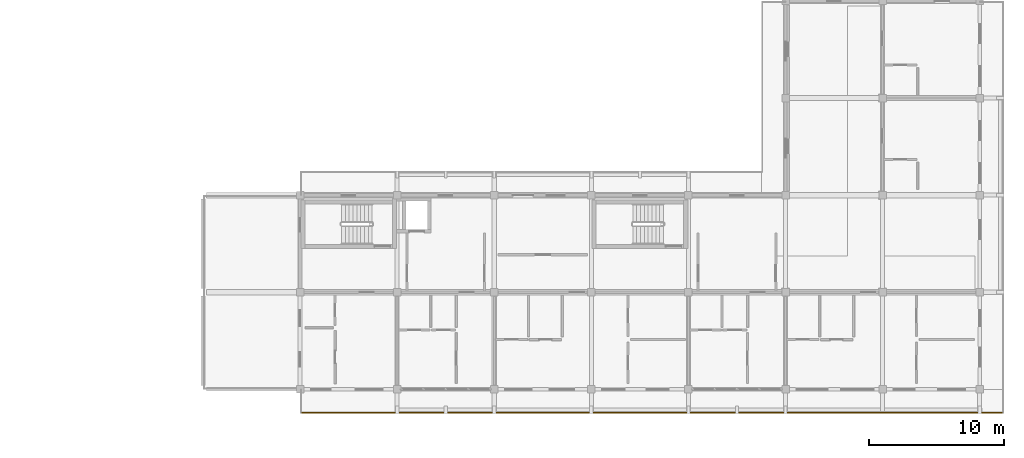
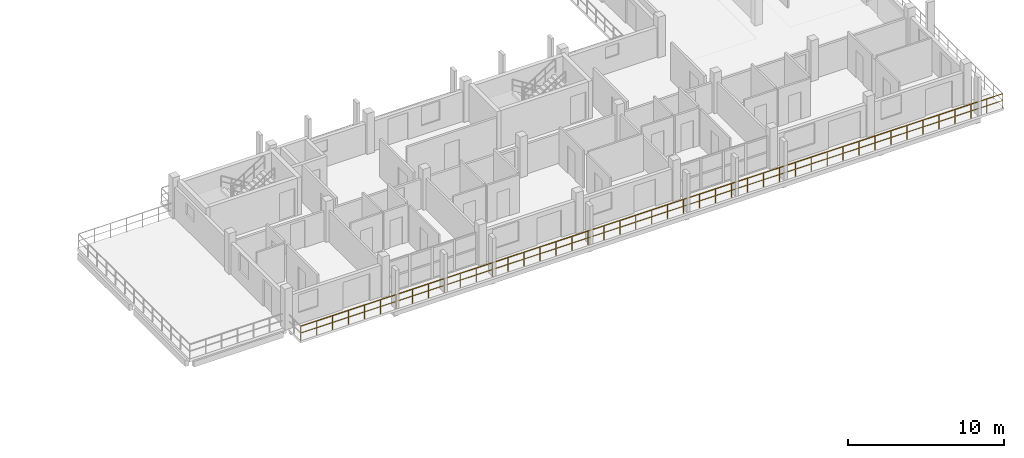
# One storey, part 60 of 65: 1 railing.
"""IFC4 building model written with IfcOpenShell, lengths in metres."""

from ifc_helpers import new_model, si_unit, direction, frame, origin, origin_2d, place, context, subcontext, project, spatial, rectangle, extrude, material, type_object, element, save


model = new_model("IFC4")

# Units and contexts
model_context = context("Model", 3, precision=1e-05, world=origin(), true_north=direction((0.0, 1.0)))
body_context = subcontext(model_context, "Body", "Model", "MODEL_VIEW")
ifc_project = project(units=[si_unit("LENGTHUNIT", "METRE"), si_unit("AREAUNIT", "SQUARE_METRE"), si_unit("VOLUMEUNIT", "CUBIC_METRE"), si_unit("PLANEANGLEUNIT", "RADIAN"), si_unit("MASSUNIT", "GRAM", prefix="KILO")], contexts=[model_context])

# Site, building, storey
site_placement = place(None, origin())
site = spatial("IfcSite", under=ifc_project, at=site_placement, CompositionType="ELEMENT")
building_placement = place(site_placement, origin())
building = spatial("IfcBuilding", under=site, at=building_placement, Name="Suanplinth Sawtooth Commons", CompositionType="ELEMENT")
storey_placement = place(building_placement, frame((0.0, 0.0, 28.300048828125)))
storey = spatial("IfcBuildingStorey", under=building, at=storey_placement, Name="L08", CompositionType="ELEMENT", Elevation=28.300048828125)

# Railing
ifc_material = material(Name="Powder-coated galvanized steel", Category="steel")
railing_type = type_object("IfcRailingType", Name="GR-01", PredefinedType="BALUSTRADE", material=ifc_material)
railing_placement = place(storey_placement, frame((188.93994140625, -1.739990234375, 0.0)))
element("IfcRailing", 1, at=railing_placement, inside=storey, type_object=railing_type, Name="L08 Block C Perimeter Balustrade 14", PredefinedType="BALUSTRADE", context=body_context, shape_type="SweptSolid", body=[
    extrude(rectangle(XDim=0.048095703125, YDim=0.048095703125, at=origin_2d()), frame((0.0, 0.0, 1.09619140625), z_axis=(-1.0, 0.0, 0.0), x_axis=(0.0, -1.0, 0.0)), (0.0, 0.0, 1.0), 52.079833984375),
    extrude(rectangle(XDim=0.03369140625, YDim=0.03369140625, at=origin_2d()), frame((0.0, 0.0, 0.56005859375), z_axis=(-1.0, 0.0, 0.0), x_axis=(0.0, -1.0, 0.0)), (0.0, 0.0, 1.0), 52.079833984375),
    extrude(rectangle(XDim=0.0419921875, YDim=0.0419921875, at=origin_2d()), origin(), (0.0, 0.0, 1.0), 1.072021484375),
    extrude(rectangle(XDim=0.0419921875, YDim=0.0419921875, at=origin_2d()), frame((-1.18359375, 0.0, 0.0)), (0.0, 0.0, 1.0), 1.072021484375),
    extrude(rectangle(XDim=0.0419921875, YDim=0.0419921875, at=origin_2d()), frame((-2.3671875, 0.0, 0.0)), (0.0, 0.0, 1.0), 1.072021484375),
    extrude(rectangle(XDim=0.0419921875, YDim=0.0419921875, at=origin_2d()), frame((-3.55078125, 0.0, 0.0)), (0.0, 0.0, 1.0), 1.072021484375),
    extrude(rectangle(XDim=0.0419921875, YDim=0.0419921875, at=origin_2d()), frame((-4.734619140625, 0.0, 0.0)), (0.0, 0.0, 1.0), 1.072021484375),
    extrude(rectangle(XDim=0.0419921875, YDim=0.0419921875, at=origin_2d()), frame((-5.918212890625, 0.0, 0.0)), (0.0, 0.0, 1.0), 1.072021484375),
    extrude(rectangle(XDim=0.0419921875, YDim=0.0419921875, at=origin_2d()), frame((-7.101806640625, 0.0, 0.0)), (0.0, 0.0, 1.0), 1.072021484375),
    extrude(rectangle(XDim=0.0419921875, YDim=0.0419921875, at=origin_2d()), frame((-8.285400390625, 0.0, 0.0)), (0.0, 0.0, 1.0), 1.072021484375),
    extrude(rectangle(XDim=0.0419921875, YDim=0.0419921875, at=origin_2d()), frame((-9.468994140625, 0.0, 0.0)), (0.0, 0.0, 1.0), 1.072021484375),
    extrude(rectangle(XDim=0.0419921875, YDim=0.0419921875, at=origin_2d()), frame((-10.652587890625, 0.0, 0.0)), (0.0, 0.0, 1.0), 1.072021484375),
    extrude(rectangle(XDim=0.0419921875, YDim=0.0419921875, at=origin_2d()), frame((-11.83642578125, 0.0, 0.0)), (0.0, 0.0, 1.0), 1.072021484375),
    extrude(rectangle(XDim=0.0419921875, YDim=0.0419921875, at=origin_2d()), frame((-13.02001953125, 0.0, 0.0)), (0.0, 0.0, 1.0), 1.072021484375),
    extrude(rectangle(XDim=0.0419921875, YDim=0.0419921875, at=origin_2d()), frame((-14.20361328125, 0.0, 0.0)), (0.0, 0.0, 1.0), 1.072021484375),
    extrude(rectangle(XDim=0.0419921875, YDim=0.0419921875, at=origin_2d()), frame((-15.38720703125, 0.0, 0.0)), (0.0, 0.0, 1.0), 1.072021484375),
    extrude(rectangle(XDim=0.0419921875, YDim=0.0419921875, at=origin_2d()), frame((-16.57080078125, 0.0, 0.0)), (0.0, 0.0, 1.0), 1.072021484375),
    extrude(rectangle(XDim=0.0419921875, YDim=0.0419921875, at=origin_2d()), frame((-17.75439453125, 0.0, 0.0)), (0.0, 0.0, 1.0), 1.072021484375),
    extrude(rectangle(XDim=0.0419921875, YDim=0.0419921875, at=origin_2d()), frame((-18.938232421875, 0.0, 0.0)), (0.0, 0.0, 1.0), 1.072021484375),
    extrude(rectangle(XDim=0.0419921875, YDim=0.0419921875, at=origin_2d()), frame((-20.121826171875, 0.0, 0.0)), (0.0, 0.0, 1.0), 1.072021484375),
    extrude(rectangle(XDim=0.0419921875, YDim=0.0419921875, at=origin_2d()), frame((-21.305419921875, 0.0, 0.0)), (0.0, 0.0, 1.0), 1.072021484375),
    extrude(rectangle(XDim=0.0419921875, YDim=0.0419921875, at=origin_2d()), frame((-22.489013671875, 0.0, 0.0)), (0.0, 0.0, 1.0), 1.072021484375),
    extrude(rectangle(XDim=0.0419921875, YDim=0.0419921875, at=origin_2d()), frame((-23.672607421875, 0.0, 0.0)), (0.0, 0.0, 1.0), 1.072021484375),
    extrude(rectangle(XDim=0.0419921875, YDim=0.0419921875, at=origin_2d()), frame((-24.856201171875, 0.0, 0.0)), (0.0, 0.0, 1.0), 1.072021484375),
    extrude(rectangle(XDim=0.0419921875, YDim=0.0419921875, at=origin_2d()), frame((-26.0400390625, 0.0, 0.0)), (0.0, 0.0, 1.0), 1.072021484375),
    extrude(rectangle(XDim=0.0419921875, YDim=0.0419921875, at=origin_2d()), frame((-27.2236328125, 0.0, 0.0)), (0.0, 0.0, 1.0), 1.072021484375),
    extrude(rectangle(XDim=0.0419921875, YDim=0.0419921875, at=origin_2d()), frame((-28.4072265625, 0.0, 0.0)), (0.0, 0.0, 1.0), 1.072021484375),
    extrude(rectangle(XDim=0.0419921875, YDim=0.0419921875, at=origin_2d()), frame((-29.5908203125, 0.0, 0.0)), (0.0, 0.0, 1.0), 1.072021484375),
    extrude(rectangle(XDim=0.0419921875, YDim=0.0419921875, at=origin_2d()), frame((-30.7744140625, 0.0, 0.0)), (0.0, 0.0, 1.0), 1.072021484375),
    extrude(rectangle(XDim=0.0419921875, YDim=0.0419921875, at=origin_2d()), frame((-31.9580078125, 0.0, 0.0)), (0.0, 0.0, 1.0), 1.072021484375),
    extrude(rectangle(XDim=0.0419921875, YDim=0.0419921875, at=origin_2d()), frame((-33.1416015625, 0.0, 0.0)), (0.0, 0.0, 1.0), 1.072021484375),
    extrude(rectangle(XDim=0.0419921875, YDim=0.0419921875, at=origin_2d()), frame((-34.325439453125, 0.0, 0.0)), (0.0, 0.0, 1.0), 1.072021484375),
    extrude(rectangle(XDim=0.0419921875, YDim=0.0419921875, at=origin_2d()), frame((-35.509033203125, 0.0, 0.0)), (0.0, 0.0, 1.0), 1.072021484375),
    extrude(rectangle(XDim=0.0419921875, YDim=0.0419921875, at=origin_2d()), frame((-36.692626953125, 0.0, 0.0)), (0.0, 0.0, 1.0), 1.072021484375),
    extrude(rectangle(XDim=0.0419921875, YDim=0.0419921875, at=origin_2d()), frame((-37.876220703125, 0.0, 0.0)), (0.0, 0.0, 1.0), 1.072021484375),
    extrude(rectangle(XDim=0.0419921875, YDim=0.0419921875, at=origin_2d()), frame((-39.059814453125, 0.0, 0.0)), (0.0, 0.0, 1.0), 1.072021484375),
    extrude(rectangle(XDim=0.0419921875, YDim=0.0419921875, at=origin_2d()), frame((-40.243408203125, 0.0, 0.0)), (0.0, 0.0, 1.0), 1.072021484375),
    extrude(rectangle(XDim=0.0419921875, YDim=0.0419921875, at=origin_2d()), frame((-41.42724609375, 0.0, 0.0)), (0.0, 0.0, 1.0), 1.072021484375),
    extrude(rectangle(XDim=0.0419921875, YDim=0.0419921875, at=origin_2d()), frame((-42.61083984375, 0.0, 0.0)), (0.0, 0.0, 1.0), 1.072021484375),
    extrude(rectangle(XDim=0.0419921875, YDim=0.0419921875, at=origin_2d()), frame((-43.79443359375, 0.0, 0.0)), (0.0, 0.0, 1.0), 1.072021484375),
    extrude(rectangle(XDim=0.0419921875, YDim=0.0419921875, at=origin_2d()), frame((-44.97802734375, 0.0, 0.0)), (0.0, 0.0, 1.0), 1.072021484375),
    extrude(rectangle(XDim=0.0419921875, YDim=0.0419921875, at=origin_2d()), frame((-46.16162109375, 0.0, 0.0)), (0.0, 0.0, 1.0), 1.072021484375),
    extrude(rectangle(XDim=0.0419921875, YDim=0.0419921875, at=origin_2d()), frame((-47.34521484375, 0.0, 0.0)), (0.0, 0.0, 1.0), 1.072021484375),
    extrude(rectangle(XDim=0.0419921875, YDim=0.0419921875, at=origin_2d()), frame((-48.529052734375, 0.0, 0.0)), (0.0, 0.0, 1.0), 1.072021484375),
    extrude(rectangle(XDim=0.0419921875, YDim=0.0419921875, at=origin_2d()), frame((-49.712646484375, 0.0, 0.0)), (0.0, 0.0, 1.0), 1.072021484375),
    extrude(rectangle(XDim=0.0419921875, YDim=0.0419921875, at=origin_2d()), frame((-50.896240234375, 0.0, 0.0)), (0.0, 0.0, 1.0), 1.072021484375),
    extrude(rectangle(XDim=0.0419921875, YDim=0.0419921875, at=origin_2d()), frame((-52.079833984375, 0.0, 0.0)), (0.0, 0.0, 1.0), 1.072021484375),
])

save(model, "model.ifc")
